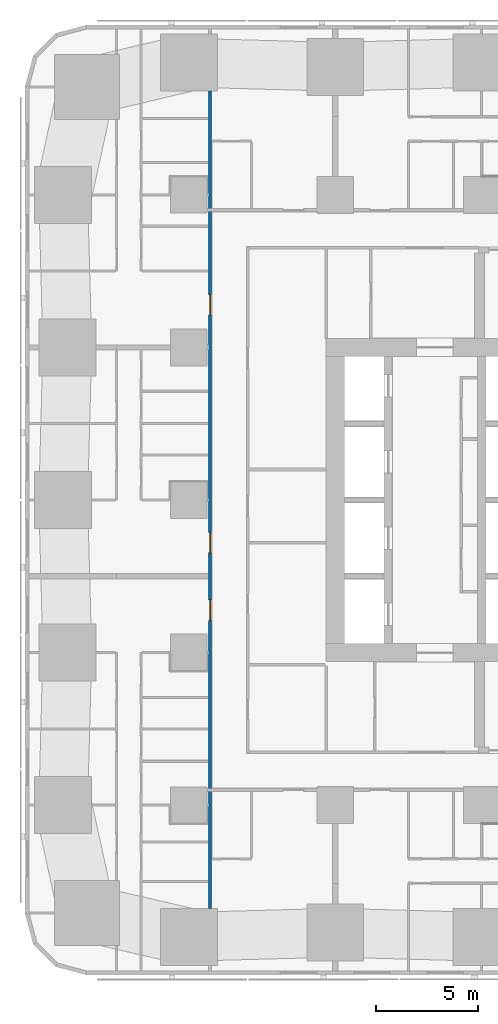
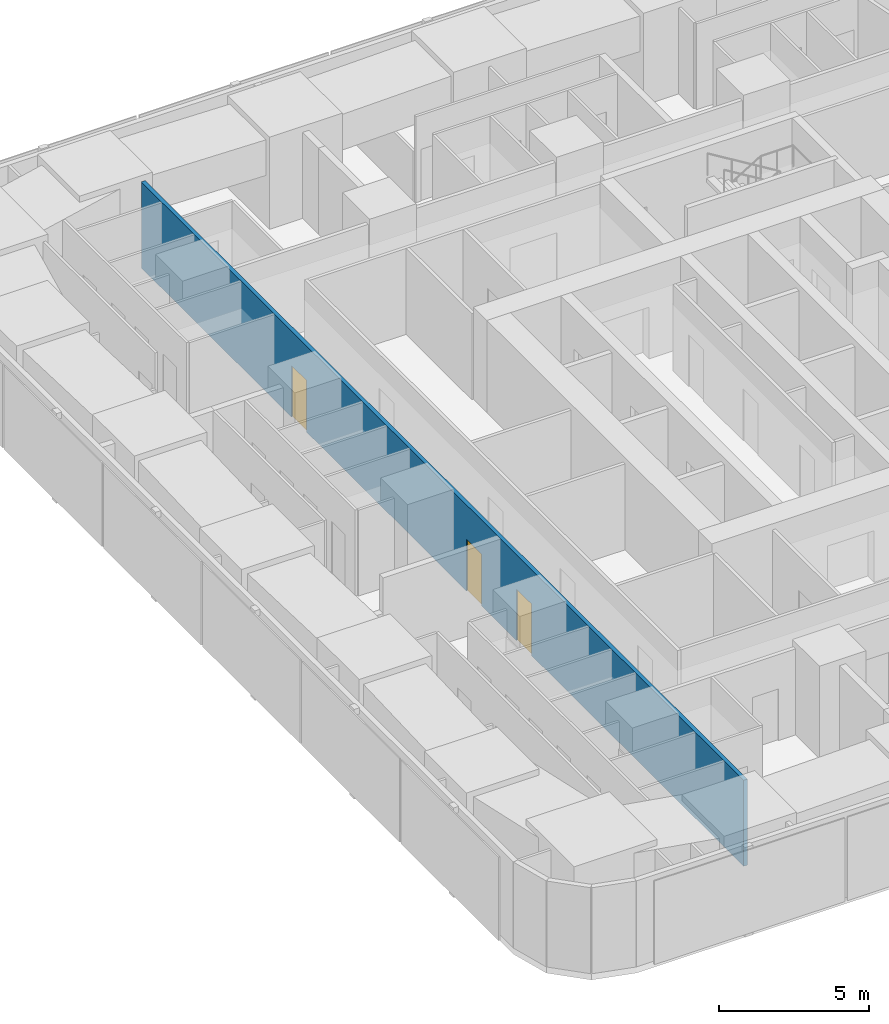
# One storey, part 6 of 18: 3 doors, 1 wall, 3 openings.
"""IFC4 building model written with IfcOpenShell, lengths in metres."""

from ifc_helpers import new_model, si_unit, direction, frame, frame_2d, origin, place, context, subcontext, project, spatial, rectangle, extrude, material, layer, layer_set, type_object, element, fill, save


model = new_model("IFC4")

# Units and contexts
model_context = context("Model", 3, precision=1e-05, world=origin(), true_north=direction((0.0, 1.0)))
body_context = subcontext(model_context, "Body", "Model", "MODEL_VIEW")
ifc_project = project(units=[si_unit("LENGTHUNIT", "METRE"), si_unit("AREAUNIT", "SQUARE_METRE"), si_unit("VOLUMEUNIT", "CUBIC_METRE"), si_unit("PLANEANGLEUNIT", "RADIAN"), si_unit("MASSUNIT", "GRAM", prefix="KILO")], contexts=[model_context])

# Site, building, storey
site_placement = place(None, origin())
site = spatial("IfcSite", under=ifc_project, at=site_placement, CompositionType="ELEMENT")
building_placement = place(site_placement, origin())
building = spatial("IfcBuilding", under=site, at=building_placement, Name="Sheger Commons Tower", CompositionType="ELEMENT")
storey_placement = place(building_placement, frame((0.0, 0.0, 38.75)))
storey = spatial("IfcBuildingStorey", under=building, at=storey_placement, Name="L09", CompositionType="ELEMENT", Elevation=38.75)

# Wall, openings, doors
ifc_material_1 = material(Name="Hollow concrete block masonry, skimmed both sides", Category="masonry")
ifc_layer = layer(ifc_material_1, 0.14990234375)
ifc_layer_set = layer_set([ifc_layer], Name="CORRIDOR WALL 150")
wall_type = type_object("IfcWallType", Name="CORRIDOR WALL 150", PredefinedType="SOLIDWALL", material=ifc_layer_set)
wall_placement = place(storey_placement, frame((8.25, 2.426025390625, 0.0), z_axis=(0.0, 0.0, 1.0), x_axis=(0.0, 1.0, 0.0)))
wall = element("IfcWall", 1, at=wall_placement, inside=storey, type_object=wall_type, Name="Corridor wall L09", PredefinedType="SOLIDWALL", context=body_context, shape_type="SweptSolid", body=[
    extrude(rectangle(XDim=40.173095703125, YDim=0.14990234375, at=frame_2d((20.08642578125, 0.0))), origin(), (0.0, 0.0, 1.0), 3.5),
])
opening_1_placement = place(wall_placement, frame((14.160888671875, 0.0, 0.0)))
opening_1 = element("IfcOpeningElement", 2, at=opening_1_placement, cuts=wall, Name="Opening D1", PredefinedType="OPENING", context=body_context, shape_type="SweptSolid", body=[
    extrude(rectangle(XDim=1.0, YDim=2.10009765625, at=frame_2d((0.5, 1.050048828125))), frame((0.0, 0.0849609375, 0.0), z_axis=(0.0, -1.0, 0.0), x_axis=(1.0, 0.0, 0.0)), (0.0, 0.0, 1.0), 0.169921875),
])
opening_2_placement = place(wall_placement, frame((17.487060546875, 0.0, 0.0)))
opening_2 = element("IfcOpeningElement", 3, at=opening_2_placement, cuts=wall, Name="Opening D1", PredefinedType="OPENING", context=body_context, shape_type="SweptSolid", body=[
    extrude(rectangle(XDim=1.0, YDim=2.10009765625, at=frame_2d((0.5, 1.050048828125))), frame((0.0, 0.0849609375, 0.0), z_axis=(0.0, -1.0, 0.0), x_axis=(1.0, 0.0, 0.0)), (0.0, 0.0, 1.0), 0.169921875),
])
opening_3_placement = place(wall_placement, frame((29.160888671875, 0.0, 0.0)))
opening_3 = element("IfcOpeningElement", 4, at=opening_3_placement, cuts=wall, Name="Opening D1", PredefinedType="OPENING", context=body_context, shape_type="SweptSolid", body=[
    extrude(rectangle(XDim=1.0, YDim=2.10009765625, at=frame_2d((0.5, 1.050048828125))), frame((0.0, 0.0849609375, 0.0), z_axis=(0.0, -1.0, 0.0), x_axis=(1.0, 0.0, 0.0)), (0.0, 0.0, 1.0), 0.169921875),
])
ifc_material_2 = material(Name="Steel door set, fire rated", Category="steel")
door_type = type_object("IfcDoorType", Name="FLAT ENTRANCE DOOR 1000x2100", OperationType="NOTDEFINED", PredefinedType="DOOR", material=ifc_material_2)
door_1_placement = place(opening_1_placement, origin())
door_1 = element("IfcDoor", 5, at=door_1_placement, inside=storey, type_object=door_type, Name="Flat entrance door", OperationType="SINGLE_SWING_RIGHT", OverallHeight=2.10009765625, OverallWidth=1.0, PredefinedType="DOOR", context=body_context, shape_type="SweptSolid", body=[
    extrude(rectangle(XDim=1.0, YDim=2.10009765625, at=frame_2d((0.5, 1.050048828125))), frame((0.0, 0.02490234375, 0.0), z_axis=(0.0, -1.0, 0.0), x_axis=(1.0, 0.0, 0.0)), (0.0, 0.0, 1.0), 0.050048828125),
])
fill(opening_1, door_1)
door_2_placement = place(opening_2_placement, origin())
door_2 = element("IfcDoor", 6, at=door_2_placement, inside=storey, type_object=door_type, Name="Flat entrance door", OperationType="SINGLE_SWING_LEFT", OverallHeight=2.10009765625, OverallWidth=1.0, PredefinedType="DOOR", context=body_context, shape_type="SweptSolid", body=[
    extrude(rectangle(XDim=1.0, YDim=2.10009765625, at=frame_2d((0.5, 1.050048828125))), frame((0.0, 0.02490234375, 0.0), z_axis=(0.0, -1.0, 0.0), x_axis=(1.0, 0.0, 0.0)), (0.0, 0.0, 1.0), 0.050048828125),
])
fill(opening_2, door_2)
door_3_placement = place(opening_3_placement, origin())
door_3 = element("IfcDoor", 7, at=door_3_placement, inside=storey, type_object=door_type, Name="Flat entrance door", OperationType="SINGLE_SWING_RIGHT", OverallHeight=2.10009765625, OverallWidth=1.0, PredefinedType="DOOR", context=body_context, shape_type="SweptSolid", body=[
    extrude(rectangle(XDim=1.0, YDim=2.10009765625, at=frame_2d((0.5, 1.050048828125))), frame((0.0, 0.02490234375, 0.0), z_axis=(0.0, -1.0, 0.0), x_axis=(1.0, 0.0, 0.0)), (0.0, 0.0, 1.0), 0.050048828125),
])
fill(opening_3, door_3)

save(model, "model.ifc")
